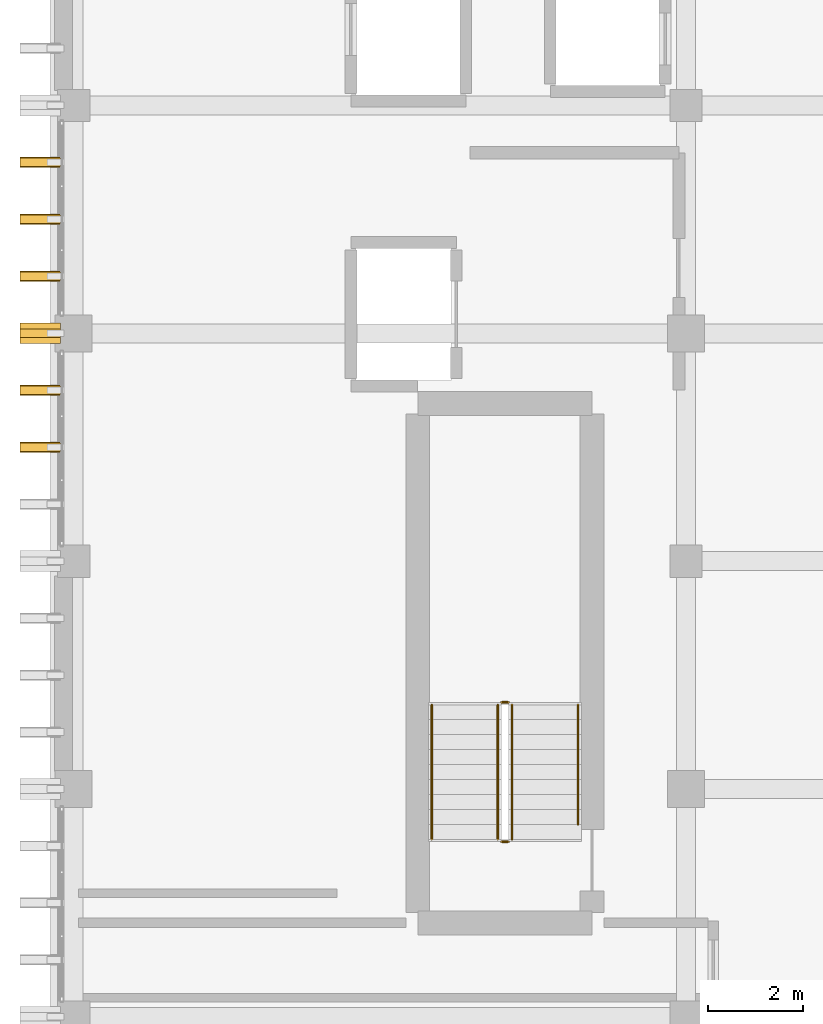
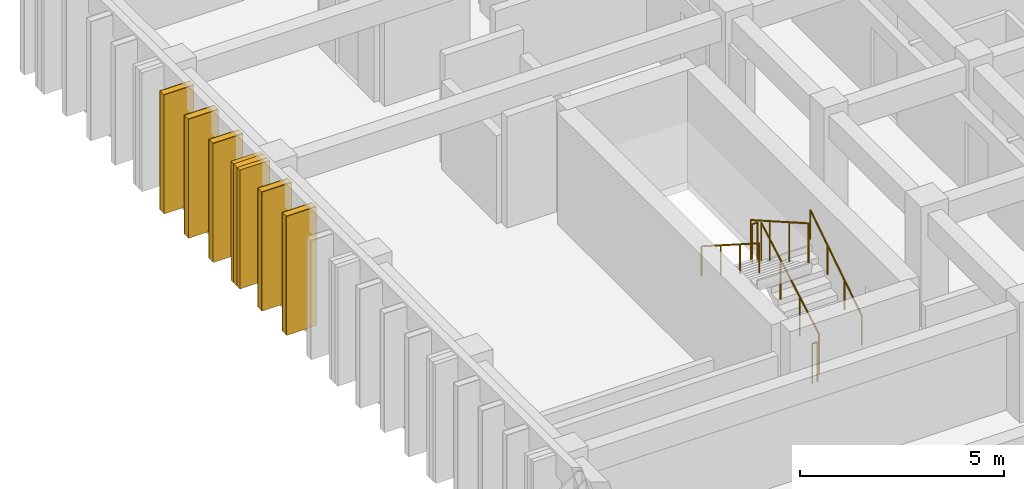
# One storey, part 67 of 68: 6 coverings, 6 railings, 6 shading devices.
"""IFC4 building model written with IfcOpenShell, lengths in metres."""

from ifc_helpers import new_model, si_unit, direction, frame, origin, origin_2d, place, context, subcontext, project, spatial, rectangle, circle, extrude, material, layer, layer_set, type_object, element, save


model = new_model("IFC4")

# Units and contexts
model_context = context("Model", 3, precision=1e-05, world=origin(), true_north=direction((0.0, 1.0)))
body_context = subcontext(model_context, "Body", "Model", "MODEL_VIEW")
ifc_project = project(units=[si_unit("LENGTHUNIT", "METRE"), si_unit("AREAUNIT", "SQUARE_METRE"), si_unit("VOLUMEUNIT", "CUBIC_METRE"), si_unit("PLANEANGLEUNIT", "RADIAN"), si_unit("MASSUNIT", "GRAM", prefix="KILO")], contexts=[model_context])

# Site, building, storey
site_placement = place(None, origin())
site = spatial("IfcSite", under=ifc_project, at=site_placement, CompositionType="ELEMENT")
building_placement = place(site_placement, origin())
building = spatial("IfcBuilding", under=site, at=building_placement, Name="Nakhvara Creek Congress Hotel", CompositionType="ELEMENT")
storey_placement = place(building_placement, frame((0.0, 0.0, 24.60009765625)))
storey = spatial("IfcBuildingStorey", under=building, at=storey_placement, Name="L05", CompositionType="ELEMENT", Elevation=24.60009765625)

# Coverings
ifc_material_1 = material(Name="Honed pale Omani limestone architectural cladding", Category="masonry")
ifc_layer = layer(ifc_material_1, 0.219970703125)
ifc_layer_set = layer_set([ifc_layer], Name="Honed pale Omani limestone architectural cladding")
covering_type = type_object("IfcCoveringType", Name="COV-FIN-850", PredefinedType="CLADDING", material=ifc_layer_set)
for number, where, z_axis, x_axis, name in (
    (1, (148.7451171875, 112.800048828125, -0.000244140625), (0.0, 0.0, 1.0), (0.0, 1.0, 0.0), "Pale Limestone Fin Cladding CF01-1552"),
    (2, (148.7451171875, 114.0, -0.000244140625), (0.0, 0.0, 1.0), (0.0, 1.0, 0.0), "Pale Limestone Fin Cladding CF01-1554"),
):
    element("IfcCovering", number, at=place(storey_placement, frame(where, z_axis=z_axis, x_axis=x_axis)), inside=storey, type_object=covering_type, Name=name, PredefinedType="CLADDING", context=body_context, shape_type="SweptSolid", body=[
        extrude(rectangle(XDim=0.219970703125, YDim=0.85009765625, at=origin_2d()), origin(), (0.0, 0.0, 1.0), 3.56005859375),
    ])
covering_placement = place(storey_placement, frame((148.7451171875, 115.199951171875, -0.000244140625), z_axis=(0.0, 0.0, 1.0), x_axis=(0.0, 1.0, 0.0)))
element("IfcCovering", 3, at=covering_placement, inside=storey, type_object=covering_type, Name="Pale Limestone Fin Cladding CF01-1556", PredefinedType="CLADDING", context=body_context, shape_type="SweptSolid", body=[
    extrude(rectangle(XDim=0.43994140625, YDim=0.85009765625, at=origin_2d()), origin(), (0.0, 0.0, 1.0), 3.56005859375),
])
for number, where, z_axis, x_axis, name in (
    (4, (148.7451171875, 116.39990234375, -0.000244140625), (0.0, 0.0, 1.0), (0.0, 1.0, 0.0), "Pale Limestone Fin Cladding CF01-1558"),
    (5, (148.7451171875, 117.60009765625, -0.000244140625), (0.0, 0.0, 1.0), (0.0, 1.0, 0.0), "Pale Limestone Fin Cladding CF01-1560"),
    (6, (148.7451171875, 118.800048828125, -0.000244140625), (0.0, 0.0, 1.0), (0.0, 1.0, 0.0), "Pale Limestone Fin Cladding CF01-1562"),
):
    element("IfcCovering", number, at=place(storey_placement, frame(where, z_axis=z_axis, x_axis=x_axis)), inside=storey, type_object=covering_type, Name=name, PredefinedType="CLADDING", context=body_context, shape_type="SweptSolid", body=[
        extrude(rectangle(XDim=0.219970703125, YDim=0.85009765625, at=origin_2d()), origin(), (0.0, 0.0, 1.0), 3.56005859375),
    ])

# Railings
ifc_material_2 = material(Name="Brushed stainless steel 316L", Category="steel")
railing_type_1 = type_object("IfcRailingType", Name="RL-GUARD-1200", PredefinedType="GUARDRAIL", material=ifc_material_2)
railing_1_placement = place(storey_placement, frame((158.68505859375, 104.5400390625, 0.179931640625)))
element("IfcRailing", 7, at=railing_1_placement, inside=storey, type_object=railing_type_1, Name="L05 ST02 stair guard 1", PredefinedType="GUARDRAIL", context=body_context, shape_type="SweptSolid", body=[
    extrude(circle(Radius=0.02392578125, at=origin_2d()), frame((0.0, 0.0126953125, 1.18310546875), z_axis=(0.0, 0.868256945921, 0.496114780932), x_axis=(-1.0, 0.0, 0.0)), (0.0, 0.0, 1.0), 3.23583984375),
    extrude(circle(Radius=0.02099609375, at=origin_2d()), origin(), (0.0, 0.0, 1.0), 1.1806640625),
    extrude(circle(Radius=0.02099609375, at=origin_2d()), frame((0.0, 0.945068359375, 0.5400390625)), (0.0, 0.0, 1.0), 1.1806640625),
    extrude(circle(Radius=0.02099609375, at=origin_2d()), frame((0.0, 1.889892578125, 1.079833984375)), (0.0, 0.0, 1.0), 1.1806640625),
    extrude(circle(Radius=0.02099609375, at=origin_2d()), frame((0.0, 2.8349609375, 1.619873046875)), (0.0, 0.0, 1.0), 1.1806640625),
])
railing_2_placement = place(storey_placement, frame((158.610107421875, 107.425048828125, 1.7998046875)))
element("IfcRailing", 8, at=railing_2_placement, inside=storey, type_object=railing_type_1, Name="L05 ST02 stair guard 2", PredefinedType="GUARDRAIL", context=body_context, shape_type="SweptSolid", body=[
    extrude(circle(Radius=0.02392578125, at=origin_2d()), frame((-0.0146484375, 0.0, 1.17578125), z_axis=(-1.0, 0.0, 0.0), x_axis=(0.0, -1.0, 0.0)), (0.0, 0.0, 1.0), 0.120849609375),
    extrude(circle(Radius=0.02099609375, at=origin_2d()), origin(), (0.0, 0.0, 1.0), 1.1806640625),
    extrude(circle(Radius=0.02099609375, at=origin_2d()), frame((-0.150146484375, 0.0, 0.0)), (0.0, 0.0, 1.0), 1.1806640625),
])
railing_3_placement = place(storey_placement, frame((158.385009765625, 107.375, 1.97998046875)))
element("IfcRailing", 9, at=railing_3_placement, inside=storey, type_object=railing_type_1, Name="L05 ST02 stair guard 3", PredefinedType="GUARDRAIL", context=body_context, shape_type="SweptSolid", body=[
    extrude(circle(Radius=0.02392578125, at=origin_2d()), frame((0.0, -0.0126953125, 1.18310546875), z_axis=(0.0, -0.868256945921, 0.496114780932), x_axis=(1.0, 0.0, 0.0)), (0.0, 0.0, 1.0), 3.23583984375),
    extrude(circle(Radius=0.02099609375, at=origin_2d()), origin(), (0.0, 0.0, 1.0), 1.1806640625),
    extrude(circle(Radius=0.02099609375, at=origin_2d()), frame((0.0, -0.945068359375, 0.5400390625)), (0.0, 0.0, 1.0), 1.1806640625),
    extrude(circle(Radius=0.02099609375, at=origin_2d()), frame((0.0, -1.889892578125, 1.079833984375)), (0.0, 0.0, 1.0), 1.1806640625),
    extrude(circle(Radius=0.02099609375, at=origin_2d()), frame((0.0, -2.8349609375, 1.619873046875)), (0.0, 0.0, 1.0), 1.1806640625),
])
railing_4_placement = place(storey_placement, frame((158.610107421875, 104.489990234375, 0.0)))
element("IfcRailing", 10, at=railing_4_placement, inside=storey, type_object=railing_type_1, Name="L05 ST02 stair guard 4", PredefinedType="GUARDRAIL", context=body_context, shape_type="SweptSolid", body=[
    extrude(circle(Radius=0.02392578125, at=origin_2d()), frame((-0.0146484375, 0.0, 1.17578125), z_axis=(-1.0, 0.0, 0.0), x_axis=(0.0, -1.0, 0.0)), (0.0, 0.0, 1.0), 0.120849609375),
    extrude(circle(Radius=0.02099609375, at=origin_2d()), origin(), (0.0, 0.0, 1.0), 1.1806640625),
    extrude(circle(Radius=0.02099609375, at=origin_2d()), frame((-0.150146484375, 0.0, 0.0)), (0.0, 0.0, 1.0), 1.1806640625),
])
railing_type_2 = type_object("IfcRailingType", Name="RL-HAND-900", PredefinedType="HANDRAIL", material=ifc_material_2)
railing_5_placement = place(storey_placement, frame((160.074951171875, 104.85498046875, 0.35986328125)))
element("IfcRailing", 11, at=railing_5_placement, inside=storey, type_object=railing_type_2, Name="L05 ST02 stair handrail 1", PredefinedType="HANDRAIL", context=body_context, shape_type="SweptSolid", body=[
    extrude(circle(Radius=0.02392578125, at=origin_2d()), frame((0.0, 0.012451171875, 0.8837890625), z_axis=(0.0, 0.8394937775, 0.543369301248), x_axis=(-1.0, 0.0, 0.0)), (0.0, 0.0, 1.0), 2.972412109375),
    extrude(circle(Radius=0.02099609375, at=origin_2d()), origin(), (0.0, 0.0, 1.0), 0.880615234375),
    extrude(circle(Radius=0.02099609375, at=origin_2d()), frame((0.0, 0.840087890625, 0.543701171875)), (0.0, 0.0, 1.0), 0.880615234375),
    extrude(circle(Radius=0.02099609375, at=origin_2d()), frame((0.0, 1.679931640625, 1.08740234375)), (0.0, 0.0, 1.0), 0.880615234375),
    extrude(circle(Radius=0.02099609375, at=origin_2d()), frame((0.0, 2.52001953125, 1.631103515625)), (0.0, 0.0, 1.0), 0.880615234375),
])
railing_6_placement = place(storey_placement, frame((156.9951171875, 107.375, 1.97998046875)))
element("IfcRailing", 12, at=railing_6_placement, inside=storey, type_object=railing_type_2, Name="L05 ST02 stair handrail 2", PredefinedType="HANDRAIL", context=body_context, shape_type="SweptSolid", body=[
    extrude(circle(Radius=0.02392578125, at=origin_2d()), frame((0.0, -0.012451171875, 0.8837890625), z_axis=(0.0, -0.842721868308, 0.538349192138), x_axis=(1.0, 0.0, 0.0)), (0.0, 0.0, 1.0), 3.334716796875),
    extrude(circle(Radius=0.02099609375, at=origin_2d()), origin(), (0.0, 0.0, 1.0), 0.880615234375),
    extrude(circle(Radius=0.02099609375, at=origin_2d()), frame((0.0, -0.945068359375, 0.603759765625)), (0.0, 0.0, 1.0), 0.880615234375),
    extrude(circle(Radius=0.02099609375, at=origin_2d()), frame((0.0, -1.889892578125, 1.207275390625)), (0.0, 0.0, 1.0), 0.880615234375),
    extrude(circle(Radius=0.02099609375, at=origin_2d()), frame((0.0, -2.8349609375, 1.81103515625)), (0.0, 0.0, 1.0), 0.880615234375),
])

# Shading devices
ifc_material_3 = material(Name="Honed pale Omani limestone cladding on stainless steel spine", Category="masonry")
shading_device_type = type_object("IfcShadingDeviceType", Name="SHD-FIN-850X3600", PredefinedType="USERDEFINED", material=ifc_material_3)
for number, where, z_axis, x_axis, name in (
    (13, (148.7451171875, 112.800048828125, -0.000244140625), (0.0, 0.0, 1.0), (0.0, 1.0, 0.0), "Limestone Solar Fin FN01-1417"),
    (14, (148.7451171875, 114.0, -0.000244140625), (0.0, 0.0, 1.0), (0.0, 1.0, 0.0), "Limestone Solar Fin FN01-1419"),
    (15, (148.7451171875, 115.199951171875, -0.000244140625), (0.0, 0.0, 1.0), (0.0, 1.0, 0.0), "Limestone Solar Fin FN01-1421"),
    (16, (148.7451171875, 116.39990234375, -0.000244140625), (0.0, 0.0, 1.0), (0.0, 1.0, 0.0), "Limestone Solar Fin FN01-1423"),
    (17, (148.7451171875, 117.60009765625, -0.000244140625), (0.0, 0.0, 1.0), (0.0, 1.0, 0.0), "Limestone Solar Fin FN01-1425"),
    (18, (148.7451171875, 118.800048828125, -0.000244140625), (0.0, 0.0, 1.0), (0.0, 1.0, 0.0), "Limestone Solar Fin FN01-1427"),
):
    element("IfcShadingDevice", number, at=place(storey_placement, frame(where, z_axis=z_axis, x_axis=x_axis)), inside=storey, type_object=shading_device_type, Name=name, ObjectType="FIN", PredefinedType="USERDEFINED", context=body_context, shape_type="SweptSolid", body=[
        extrude(rectangle(XDim=0.179931640625, YDim=0.85009765625, at=origin_2d()), origin(), (0.0, 0.0, 1.0), 3.56005859375),
    ])

save(model, "model.ifc")
